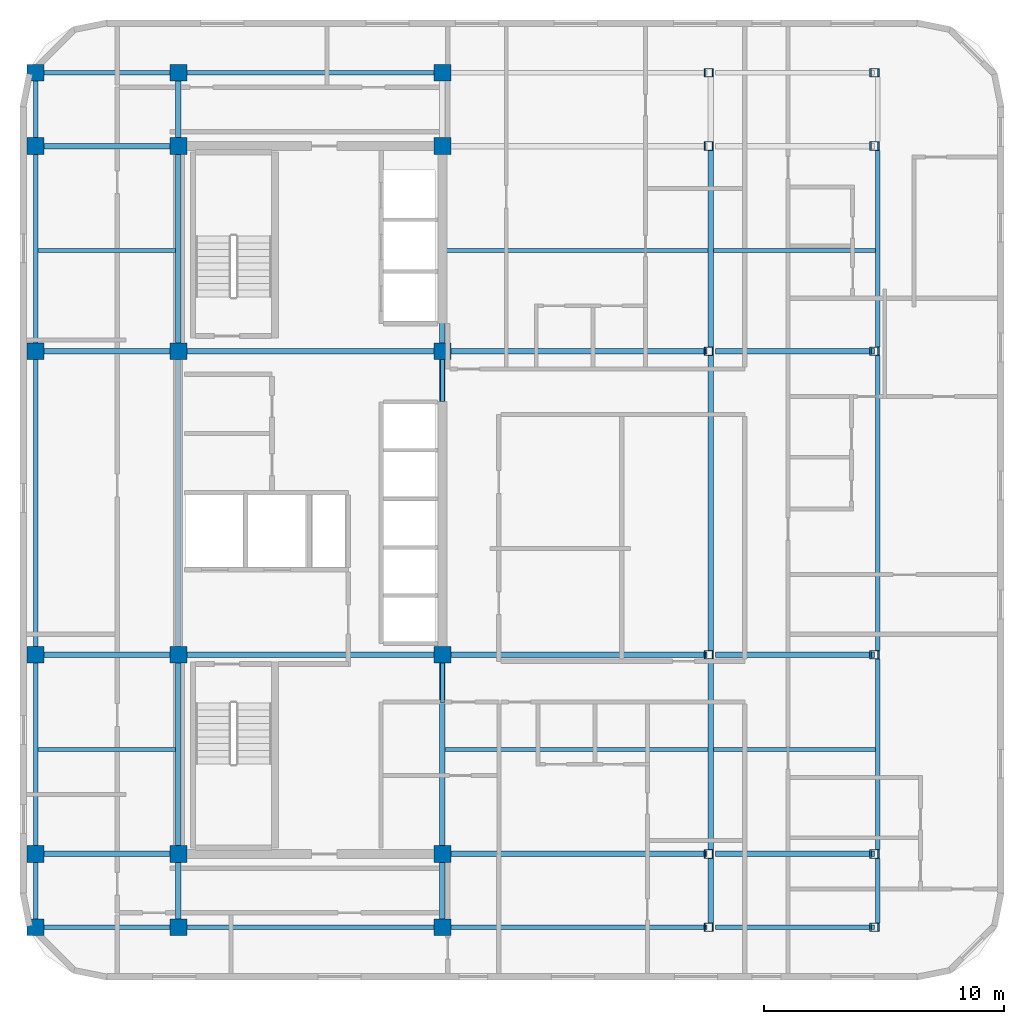
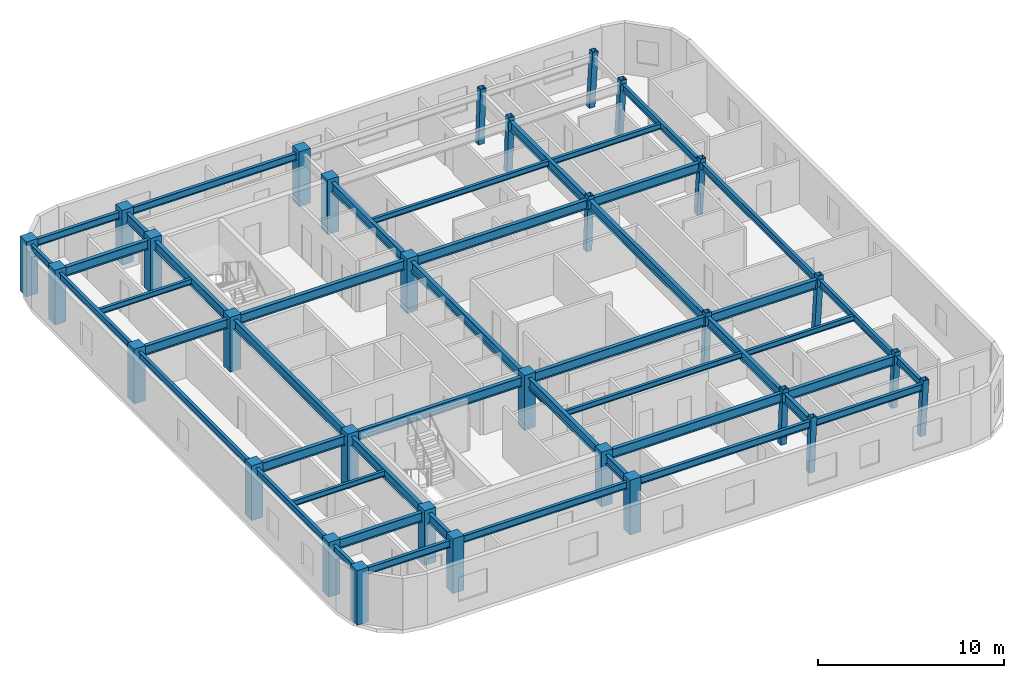
# One storey, part 1 of 8: 48 beams, 30 columns.
"""IFC4 building model written with IfcOpenShell, lengths in metres."""

from ifc_helpers import new_model, si_unit, direction, frame, origin, origin_2d, place, context, subcontext, project, spatial, rectangle, hollow_rectangle, i_section, extrude, material, material_profile, profile_set, type_object, element, save


model = new_model("IFC4")

# Units and contexts
model_context = context("Model", 3, precision=1e-05, world=origin(), true_north=direction((0.0, 1.0)))
body_context = subcontext(model_context, "Body", "Model", "MODEL_VIEW")
ifc_project = project(units=[si_unit("LENGTHUNIT", "METRE"), si_unit("AREAUNIT", "SQUARE_METRE"), si_unit("VOLUMEUNIT", "CUBIC_METRE"), si_unit("PLANEANGLEUNIT", "RADIAN"), si_unit("MASSUNIT", "GRAM", prefix="KILO")], contexts=[model_context])

# Site, building, storey
site_placement = place(None, origin())
site = spatial("IfcSite", under=ifc_project, at=site_placement, CompositionType="ELEMENT")
building_placement = place(site_placement, origin())
building = spatial("IfcBuilding", under=site, at=building_placement, Name="Ochreholt Gables", CompositionType="ELEMENT")
storey_placement = place(building_placement, frame((0.0, 0.0, 181.199951171875)))
storey = spatial("IfcBuildingStorey", under=building, at=storey_placement, Name="L47", CompositionType="ELEMENT", Elevation=181.199951171875)

# Columns
ifc_material_1 = material(Name="Steel CSA G40.21 350W", Category="steel")
ifc_material_profile_1 = material_profile(ifc_material_1, hollow_rectangle(XDim=0.35595703125, YDim=0.35595703125, WallThickness=0.01611328125, at=origin_2d()), Name="HSS356X356X16")
ifc_profile_set_1 = profile_set([ifc_material_profile_1], Name="Steel CSA G40.21 350W")
column_type_1 = type_object("IfcColumnType", Name="COL-HSS356-RAK", PredefinedType="COLUMN", material=ifc_profile_set_1)
for number, where, z_axis, x_axis, name in (
    (1, (46.278076171875, 9.25, 0.0), (0.034971136209, 0.0, 0.999388322742), (0.0, 1.0, 0.0), "L47 Column EMY2"),
    (2, (46.278076171875, 17.550048828125, 0.0), (0.034971136209, 0.0, 0.999388322742), (0.0, 1.0, 0.0), "L47 Column EMY3"),
    (3, (46.278076171875, 30.199951171875, 0.0), (0.034971136209, 0.0, 0.999388322742), (0.0, 1.0, 0.0), "L47 Column EMY4"),
    (4, (46.278076171875, 38.75, 0.0), (0.034971136209, 0.0, 0.999388322742), (0.0, 1.0, 0.0), "L47 Column EMY5"),
):
    element("IfcColumn", number, at=place(storey_placement, frame(where, z_axis=z_axis, x_axis=x_axis)), inside=storey, type_object=column_type_1, Name=name, PredefinedType="COLUMN", context=body_context, shape_type="SweptSolid", body=[
        extrude(hollow_rectangle(XDim=0.35595703125, YDim=0.35595703125, WallThickness=0.01611328125, at=origin_2d()), origin(), (0.0, 0.0, 1.0), 3.602294921875),
    ])
ifc_material_profile_2 = material_profile(ifc_material_1, hollow_rectangle(XDim=0.35595703125, YDim=0.35595703125, WallThickness=0.01611328125, at=origin_2d()), Name="HSS356X356X16")
ifc_profile_set_2 = profile_set([ifc_material_profile_2], Name="Steel CSA G40.21 350W")
column_type_2 = type_object("IfcColumnType", Name="COL-HSS356-RAKE", PredefinedType="COLUMN", material=ifc_profile_set_2)
for number, where, z_axis, x_axis, name in (
    (5, (46.278076171875, 6.199951171875, 0.0), (0.034971136209, 0.0, 0.999388322742), (0.0, 1.0, 0.0), "L47 Column EMY1"),
    (6, (46.278076171875, 41.800048828125, 0.0), (0.034971136209, 0.0, 0.999388322742), (0.0, 1.0, 0.0), "L47 Column EMY6"),
):
    element("IfcColumn", number, at=place(storey_placement, frame(where, z_axis=z_axis, x_axis=x_axis)), inside=storey, type_object=column_type_2, Name=name, PredefinedType="COLUMN", context=body_context, shape_type="SweptSolid", body=[
        extrude(hollow_rectangle(XDim=0.35595703125, YDim=0.35595703125, WallThickness=0.01611328125, at=origin_2d()), origin(), (0.0, 0.0, 1.0), 3.602294921875),
    ])
for number, where, z_axis, x_axis, name in (
    (7, (53.16650390625, 6.199951171875, 0.0), (0.057884606321, 0.0, 0.998323280481), (0.0, 1.0, 0.0), "L47 Column EEY1"),
    (8, (53.16650390625, 9.25, 0.0), (0.057884606321, 0.0, 0.998323280481), (0.0, 1.0, 0.0), "L47 Column EEY2"),
    (9, (53.16650390625, 17.550048828125, 0.0), (0.057884606321, 0.0, 0.998323280481), (0.0, 1.0, 0.0), "L47 Column EEY3"),
    (10, (53.16650390625, 30.199951171875, 0.0), (0.057884606321, 0.0, 0.998323280481), (0.0, 1.0, 0.0), "L47 Column EEY4"),
    (11, (53.16650390625, 38.75, 0.0), (0.057884606321, 0.0, 0.998323280481), (0.0, 1.0, 0.0), "L47 Column EEY5"),
    (12, (53.16650390625, 41.800048828125, 0.0), (0.057884606321, 0.0, 0.998323280481), (0.0, 1.0, 0.0), "L47 Column EEY6"),
):
    element("IfcColumn", number, at=place(storey_placement, frame(where, z_axis=z_axis, x_axis=x_axis)), inside=storey, type_object=column_type_2, Name=name, PredefinedType="COLUMN", context=body_context, shape_type="SweptSolid", body=[
        extrude(hollow_rectangle(XDim=0.35595703125, YDim=0.35595703125, WallThickness=0.01611328125, at=origin_2d()), origin(), (0.0, 0.0, 1.0), 3.606201171875),
    ])
ifc_material_2 = material(Name="Concrete 50 MPa", Category="concrete")
ifc_material_profile_3 = material_profile(ifc_material_2, rectangle(XDim=0.699951171875, YDim=0.699951171875, at=origin_2d()), Name="RC700X700")
ifc_profile_set_3 = profile_set([ifc_material_profile_3], Name="Concrete 50 MPa")
column_type_3 = type_object("IfcColumnType", Name="COL-RC700-EXT", PredefinedType="COLUMN", material=ifc_profile_set_3)
for number, where, z_axis, x_axis, name in (
    (13, (18.25, 6.199951171875, 0.0), (0.0, 0.0, 1.0), (1.0, 0.0, 0.0), "L47 Column W3Y1"),
    (14, (18.25, 9.25, 0.0), (0.0, 0.0, 1.0), (1.0, 0.0, 0.0), "L47 Column W3Y2"),
    (15, (18.25, 17.550048828125, 0.0), (0.0, 0.0, 1.0), (1.0, 0.0, 0.0), "L47 Column W3Y3"),
    (16, (18.25, 30.199951171875, 0.0), (0.0, 0.0, 1.0), (1.0, 0.0, 0.0), "L47 Column W3Y4"),
    (17, (18.25, 38.75, 0.0), (0.0, 0.0, 1.0), (1.0, 0.0, 0.0), "L47 Column W3Y5"),
    (18, (18.25, 41.800048828125, 0.0), (0.0, 0.0, 1.0), (1.0, 0.0, 0.0), "L47 Column W3Y6"),
    (19, (24.199951171875, 6.199951171875, 0.0), (0.0, 0.0, 1.0), (1.0, 0.0, 0.0), "L47 Column C1Y1"),
    (20, (24.199951171875, 41.800048828125, 0.0), (0.0, 0.0, 1.0), (1.0, 0.0, 0.0), "L47 Column C1Y6"),
    (21, (35.199951171875, 6.199951171875, 0.0), (0.0, 0.0, 1.0), (1.0, 0.0, 0.0), "L47 Column C2Y1"),
    (22, (35.199951171875, 41.800048828125, 0.0), (0.0, 0.0, 1.0), (1.0, 0.0, 0.0), "L47 Column C2Y6"),
):
    element("IfcColumn", number, at=place(storey_placement, frame(where, z_axis=z_axis, x_axis=x_axis)), inside=storey, type_object=column_type_3, Name=name, PredefinedType="COLUMN", context=body_context, shape_type="SweptSolid", body=[
        extrude(rectangle(XDim=0.699951171875, YDim=0.699951171875, at=origin_2d()), origin(), (0.0, 0.0, 1.0), 3.60009765625),
    ])
ifc_material_profile_4 = material_profile(ifc_material_2, rectangle(XDim=0.699951171875, YDim=0.699951171875, at=origin_2d()), Name="RC700X700")
ifc_profile_set_4 = profile_set([ifc_material_profile_4], Name="Concrete 50 MPa")
column_type_4 = type_object("IfcColumnType", Name="COL-RC700-INT", PredefinedType="COLUMN", material=ifc_profile_set_4)
for number, where, z_axis, x_axis, name in (
    (23, (24.199951171875, 9.25, 0.0), (0.0, 0.0, 1.0), (1.0, 0.0, 0.0), "L47 Column C1Y2"),
    (24, (24.199951171875, 17.550048828125, 0.0), (0.0, 0.0, 1.0), (1.0, 0.0, 0.0), "L47 Column C1Y3"),
    (25, (24.199951171875, 30.199951171875, 0.0), (0.0, 0.0, 1.0), (1.0, 0.0, 0.0), "L47 Column C1Y4"),
    (26, (24.199951171875, 38.75, 0.0), (0.0, 0.0, 1.0), (1.0, 0.0, 0.0), "L47 Column C1Y5"),
    (27, (35.199951171875, 9.25, 0.0), (0.0, 0.0, 1.0), (1.0, 0.0, 0.0), "L47 Column C2Y2"),
    (28, (35.199951171875, 17.550048828125, 0.0), (0.0, 0.0, 1.0), (1.0, 0.0, 0.0), "L47 Column C2Y3"),
    (29, (35.199951171875, 30.199951171875, 0.0), (0.0, 0.0, 1.0), (1.0, 0.0, 0.0), "L47 Column C2Y4"),
    (30, (35.199951171875, 38.75, 0.0), (0.0, 0.0, 1.0), (1.0, 0.0, 0.0), "L47 Column C2Y5"),
):
    element("IfcColumn", number, at=place(storey_placement, frame(where, z_axis=z_axis, x_axis=x_axis)), inside=storey, type_object=column_type_4, Name=name, PredefinedType="COLUMN", context=body_context, shape_type="SweptSolid", body=[
        extrude(rectangle(XDim=0.699951171875, YDim=0.699951171875, at=origin_2d()), origin(), (0.0, 0.0, 1.0), 3.60009765625),
    ])

# Beams
ifc_material_profile_5 = material_profile(ifc_material_1, i_section(OverallWidth=0.22900390625, OverallDepth=0.612060546875, WebThickness=0.011962890625, FlangeThickness=0.01953125, at=origin_2d()), Name="W610X125")
ifc_profile_set_5 = profile_set([ifc_material_profile_5], Name="Steel CSA G40.21 350W")
beam_type_1 = type_object("IfcBeamType", Name="BM-G-W610B", PredefinedType="BEAM", material=ifc_profile_set_5)
beam_1_placement = place(storey_placement, frame((18.599609375, 9.25, 3.053955078125), z_axis=(1.0, 0.0, 0.0), x_axis=(0.0, 1.0, 0.0)))
element("IfcBeam", 31, at=beam_1_placement, inside=storey, type_object=beam_type_1, Name="L47 Beam TBG-L47-W3C1-Y2", PredefinedType="BEAM", context=body_context, shape_type="SweptSolid", body=[
    extrude(i_section(OverallWidth=0.22900390625, OverallDepth=0.612060546875, WebThickness=0.011962890625, FlangeThickness=0.01953125, at=origin_2d()), origin(), (0.0, 0.0, 1.0), 5.250732421875),
])
beam_2_placement = place(storey_placement, frame((35.549560546875, 9.25, 3.053955078125), z_axis=(1.0, 0.0, 0.0), x_axis=(0.0, 1.0, 0.0)))
element("IfcBeam", 32, at=beam_2_placement, inside=storey, type_object=beam_type_1, Name="L47 Beam TBG-L47-C2EM-Y2", PredefinedType="BEAM", context=body_context, shape_type="SweptSolid", body=[
    extrude(i_section(OverallWidth=0.22900390625, OverallDepth=0.612060546875, WebThickness=0.011962890625, FlangeThickness=0.01953125, at=origin_2d()), origin(), (0.0, 0.0, 1.0), 10.6767578125),
])
beam_3_placement = place(storey_placement, frame((46.58154296875, 9.25, 3.053955078125), z_axis=(1.0, 0.0, 0.0), x_axis=(0.0, 1.0, 0.0)))
element("IfcBeam", 33, at=beam_3_placement, inside=storey, type_object=beam_type_1, Name="L47 Beam TBG-L47-EMEE-Y2", PredefinedType="BEAM", context=body_context, shape_type="SweptSolid", body=[
    extrude(i_section(OverallWidth=0.22900390625, OverallDepth=0.612060546875, WebThickness=0.011962890625, FlangeThickness=0.01953125, at=origin_2d()), origin(), (0.0, 0.0, 1.0), 6.615966796875),
])
beam_4_placement = place(storey_placement, frame((18.599609375, 17.550048828125, 3.053955078125), z_axis=(1.0, 0.0, 0.0), x_axis=(0.0, 1.0, 0.0)))
element("IfcBeam", 34, at=beam_4_placement, inside=storey, type_object=beam_type_1, Name="L47 Beam TBG-L47-W3C1-Y3", PredefinedType="BEAM", context=body_context, shape_type="SweptSolid", body=[
    extrude(i_section(OverallWidth=0.22900390625, OverallDepth=0.612060546875, WebThickness=0.011962890625, FlangeThickness=0.01953125, at=origin_2d()), origin(), (0.0, 0.0, 1.0), 5.250732421875),
])
beam_5_placement = place(storey_placement, frame((24.549560546875, 17.550048828125, 3.053955078125), z_axis=(1.0, 0.0, 0.0), x_axis=(0.0, 1.0, 0.0)))
element("IfcBeam", 35, at=beam_5_placement, inside=storey, type_object=beam_type_1, Name="L47 Beam TBG-L47-C1C2-Y3", PredefinedType="BEAM", context=body_context, shape_type="SweptSolid", body=[
    extrude(i_section(OverallWidth=0.22900390625, OverallDepth=0.612060546875, WebThickness=0.011962890625, FlangeThickness=0.01953125, at=origin_2d()), origin(), (0.0, 0.0, 1.0), 10.30078125),
])
beam_6_placement = place(storey_placement, frame((35.549560546875, 17.550048828125, 3.053955078125), z_axis=(1.0, 0.0, 0.0), x_axis=(0.0, 1.0, 0.0)))
element("IfcBeam", 36, at=beam_6_placement, inside=storey, type_object=beam_type_1, Name="L47 Beam TBG-L47-C2EM-Y3", PredefinedType="BEAM", context=body_context, shape_type="SweptSolid", body=[
    extrude(i_section(OverallWidth=0.22900390625, OverallDepth=0.612060546875, WebThickness=0.011962890625, FlangeThickness=0.01953125, at=origin_2d()), origin(), (0.0, 0.0, 1.0), 10.6767578125),
])
beam_7_placement = place(storey_placement, frame((46.58154296875, 17.550048828125, 3.053955078125), z_axis=(1.0, 0.0, 0.0), x_axis=(0.0, 1.0, 0.0)))
element("IfcBeam", 37, at=beam_7_placement, inside=storey, type_object=beam_type_1, Name="L47 Beam TBG-L47-EMEE-Y3", PredefinedType="BEAM", context=body_context, shape_type="SweptSolid", body=[
    extrude(i_section(OverallWidth=0.22900390625, OverallDepth=0.612060546875, WebThickness=0.011962890625, FlangeThickness=0.01953125, at=origin_2d()), origin(), (0.0, 0.0, 1.0), 6.615966796875),
])
beam_8_placement = place(storey_placement, frame((18.599609375, 30.199951171875, 3.053955078125), z_axis=(1.0, 0.0, 0.0), x_axis=(0.0, 1.0, 0.0)))
element("IfcBeam", 38, at=beam_8_placement, inside=storey, type_object=beam_type_1, Name="L47 Beam TBG-L47-W3C1-Y4", PredefinedType="BEAM", context=body_context, shape_type="SweptSolid", body=[
    extrude(i_section(OverallWidth=0.22900390625, OverallDepth=0.612060546875, WebThickness=0.011962890625, FlangeThickness=0.01953125, at=origin_2d()), origin(), (0.0, 0.0, 1.0), 5.250732421875),
])
beam_9_placement = place(storey_placement, frame((24.549560546875, 30.199951171875, 3.053955078125), z_axis=(1.0, 0.0, 0.0), x_axis=(0.0, 1.0, 0.0)))
element("IfcBeam", 39, at=beam_9_placement, inside=storey, type_object=beam_type_1, Name="L47 Beam TBG-L47-C1C2-Y4", PredefinedType="BEAM", context=body_context, shape_type="SweptSolid", body=[
    extrude(i_section(OverallWidth=0.22900390625, OverallDepth=0.612060546875, WebThickness=0.011962890625, FlangeThickness=0.01953125, at=origin_2d()), origin(), (0.0, 0.0, 1.0), 10.30078125),
])
beam_10_placement = place(storey_placement, frame((35.549560546875, 30.199951171875, 3.053955078125), z_axis=(1.0, 0.0, 0.0), x_axis=(0.0, 1.0, 0.0)))
element("IfcBeam", 40, at=beam_10_placement, inside=storey, type_object=beam_type_1, Name="L47 Beam TBG-L47-C2EM-Y4", PredefinedType="BEAM", context=body_context, shape_type="SweptSolid", body=[
    extrude(i_section(OverallWidth=0.22900390625, OverallDepth=0.612060546875, WebThickness=0.011962890625, FlangeThickness=0.01953125, at=origin_2d()), origin(), (0.0, 0.0, 1.0), 10.6767578125),
])
beam_11_placement = place(storey_placement, frame((46.58154296875, 30.199951171875, 3.053955078125), z_axis=(1.0, 0.0, 0.0), x_axis=(0.0, 1.0, 0.0)))
element("IfcBeam", 41, at=beam_11_placement, inside=storey, type_object=beam_type_1, Name="L47 Beam TBG-L47-EMEE-Y4", PredefinedType="BEAM", context=body_context, shape_type="SweptSolid", body=[
    extrude(i_section(OverallWidth=0.22900390625, OverallDepth=0.612060546875, WebThickness=0.011962890625, FlangeThickness=0.01953125, at=origin_2d()), origin(), (0.0, 0.0, 1.0), 6.615966796875),
])
beam_12_placement = place(storey_placement, frame((18.599609375, 38.75, 3.053955078125), z_axis=(1.0, 0.0, 0.0), x_axis=(0.0, 1.0, 0.0)))
element("IfcBeam", 42, at=beam_12_placement, inside=storey, type_object=beam_type_1, Name="L47 Beam TBG-L47-W3C1-Y5", PredefinedType="BEAM", context=body_context, shape_type="SweptSolid", body=[
    extrude(i_section(OverallWidth=0.22900390625, OverallDepth=0.612060546875, WebThickness=0.011962890625, FlangeThickness=0.01953125, at=origin_2d()), origin(), (0.0, 0.0, 1.0), 5.250732421875),
])
beam_13_placement = place(storey_placement, frame((24.199951171875, 6.549560546875, 3.053955078125), z_axis=(0.0, 1.0, 0.0), x_axis=(-1.0, 0.0, 0.0)))
element("IfcBeam", 43, at=beam_13_placement, inside=storey, type_object=beam_type_1, Name="L47 Beam TBN-L47-C1-Y1Y2", PredefinedType="BEAM", context=body_context, shape_type="SweptSolid", body=[
    extrude(i_section(OverallWidth=0.22900390625, OverallDepth=0.612060546875, WebThickness=0.011962890625, FlangeThickness=0.01953125, at=origin_2d()), origin(), (0.0, 0.0, 1.0), 2.350830078125),
])
beam_14_placement = place(storey_placement, frame((24.199951171875, 9.599609375, 3.053955078125), z_axis=(0.0, 1.0, 0.0), x_axis=(-1.0, 0.0, 0.0)))
element("IfcBeam", 44, at=beam_14_placement, inside=storey, type_object=beam_type_1, Name="L47 Beam TBN-L47-C1-Y2Y3", PredefinedType="BEAM", context=body_context, shape_type="SweptSolid", body=[
    extrude(i_section(OverallWidth=0.22900390625, OverallDepth=0.612060546875, WebThickness=0.011962890625, FlangeThickness=0.01953125, at=origin_2d()), origin(), (0.0, 0.0, 1.0), 7.600830078125),
])
beam_15_placement = place(storey_placement, frame((24.199951171875, 17.899658203125, 3.053955078125), z_axis=(0.0, 1.0, 0.0), x_axis=(-1.0, 0.0, 0.0)))
element("IfcBeam", 45, at=beam_15_placement, inside=storey, type_object=beam_type_1, Name="L47 Beam TBN-L47-C1-Y3Y4", PredefinedType="BEAM", context=body_context, shape_type="SweptSolid", body=[
    extrude(i_section(OverallWidth=0.22900390625, OverallDepth=0.612060546875, WebThickness=0.011962890625, FlangeThickness=0.01953125, at=origin_2d()), origin(), (0.0, 0.0, 1.0), 11.95068359375),
])
beam_16_placement = place(storey_placement, frame((24.199951171875, 30.549560546875, 3.053955078125), z_axis=(0.0, 1.0, 0.0), x_axis=(-1.0, 0.0, 0.0)))
element("IfcBeam", 46, at=beam_16_placement, inside=storey, type_object=beam_type_1, Name="L47 Beam TBN-L47-C1-Y4Y5", PredefinedType="BEAM", context=body_context, shape_type="SweptSolid", body=[
    extrude(i_section(OverallWidth=0.22900390625, OverallDepth=0.612060546875, WebThickness=0.011962890625, FlangeThickness=0.01953125, at=origin_2d()), origin(), (0.0, 0.0, 1.0), 7.850830078125),
])
for number, where, z_axis, x_axis, name in (
    (47, (24.199951171875, 39.099609375, 3.053955078125), (0.0, 1.0, 0.0), (-1.0, 0.0, 0.0), "L47 Beam TBN-L47-C1-Y5Y6"),
    (48, (35.199951171875, 6.549560546875, 3.053955078125), (0.0, 1.0, 0.0), (-1.0, 0.0, 0.0), "L47 Beam TBN-L47-C2-Y1Y2"),
):
    element("IfcBeam", number, at=place(storey_placement, frame(where, z_axis=z_axis, x_axis=x_axis)), inside=storey, type_object=beam_type_1, Name=name, PredefinedType="BEAM", context=body_context, shape_type="SweptSolid", body=[
        extrude(i_section(OverallWidth=0.22900390625, OverallDepth=0.612060546875, WebThickness=0.011962890625, FlangeThickness=0.01953125, at=origin_2d()), origin(), (0.0, 0.0, 1.0), 2.350830078125),
    ])
beam_17_placement = place(storey_placement, frame((35.199951171875, 9.599609375, 3.053955078125), z_axis=(0.0, 1.0, 0.0), x_axis=(-1.0, 0.0, 0.0)))
element("IfcBeam", 49, at=beam_17_placement, inside=storey, type_object=beam_type_1, Name="L47 Beam TBN-L47-C2-Y2Y3", PredefinedType="BEAM", context=body_context, shape_type="SweptSolid", body=[
    extrude(i_section(OverallWidth=0.22900390625, OverallDepth=0.612060546875, WebThickness=0.011962890625, FlangeThickness=0.01953125, at=origin_2d()), origin(), (0.0, 0.0, 1.0), 7.600830078125),
])
beam_18_placement = place(storey_placement, frame((35.199951171875, 17.899658203125, 3.053955078125), z_axis=(0.0, 1.0, 0.0), x_axis=(-1.0, 0.0, 0.0)))
element("IfcBeam", 50, at=beam_18_placement, inside=storey, type_object=beam_type_1, Name="L47 Beam TBN-L47-C2-Y3Y4", PredefinedType="BEAM", context=body_context, shape_type="SweptSolid", body=[
    extrude(i_section(OverallWidth=0.22900390625, OverallDepth=0.612060546875, WebThickness=0.011962890625, FlangeThickness=0.01953125, at=origin_2d()), origin(), (0.0, 0.0, 1.0), 11.95068359375),
])
beam_19_placement = place(storey_placement, frame((35.199951171875, 30.549560546875, 3.053955078125), z_axis=(0.0, 1.0, 0.0), x_axis=(-1.0, 0.0, 0.0)))
element("IfcBeam", 51, at=beam_19_placement, inside=storey, type_object=beam_type_1, Name="L47 Beam TBN-L47-C2-Y4Y5", PredefinedType="BEAM", context=body_context, shape_type="SweptSolid", body=[
    extrude(i_section(OverallWidth=0.22900390625, OverallDepth=0.612060546875, WebThickness=0.011962890625, FlangeThickness=0.01953125, at=origin_2d()), origin(), (0.0, 0.0, 1.0), 7.850830078125),
])
beam_20_placement = place(storey_placement, frame((46.386962890625, 6.377685546875, 3.053955078125), z_axis=(0.0, 1.0, 0.0), x_axis=(-1.0, 0.0, 0.0)))
element("IfcBeam", 52, at=beam_20_placement, inside=storey, type_object=beam_type_1, Name="L47 Beam TBN-L47-EM-Y1Y2", PredefinedType="BEAM", context=body_context, shape_type="SweptSolid", body=[
    extrude(i_section(OverallWidth=0.22900390625, OverallDepth=0.612060546875, WebThickness=0.011962890625, FlangeThickness=0.01953125, at=origin_2d()), origin(), (0.0, 0.0, 1.0), 2.69482421875),
])
beam_21_placement = place(storey_placement, frame((46.386962890625, 9.427490234375, 3.053955078125), z_axis=(0.0, 1.0, 0.0), x_axis=(-1.0, 0.0, 0.0)))
element("IfcBeam", 53, at=beam_21_placement, inside=storey, type_object=beam_type_1, Name="L47 Beam TBN-L47-EM-Y2Y3", PredefinedType="BEAM", context=body_context, shape_type="SweptSolid", body=[
    extrude(i_section(OverallWidth=0.22900390625, OverallDepth=0.612060546875, WebThickness=0.011962890625, FlangeThickness=0.01953125, at=origin_2d()), origin(), (0.0, 0.0, 1.0), 7.94482421875),
])
beam_22_placement = place(storey_placement, frame((46.386962890625, 17.7275390625, 3.053955078125), z_axis=(0.0, 1.0, 0.0), x_axis=(-1.0, 0.0, 0.0)))
element("IfcBeam", 54, at=beam_22_placement, inside=storey, type_object=beam_type_1, Name="L47 Beam TBN-L47-EM-Y3Y4", PredefinedType="BEAM", context=body_context, shape_type="SweptSolid", body=[
    extrude(i_section(OverallWidth=0.22900390625, OverallDepth=0.612060546875, WebThickness=0.011962890625, FlangeThickness=0.01953125, at=origin_2d()), origin(), (0.0, 0.0, 1.0), 12.294921875),
])
beam_23_placement = place(storey_placement, frame((46.386962890625, 30.377685546875, 3.053955078125), z_axis=(0.0, 1.0, 0.0), x_axis=(-1.0, 0.0, 0.0)))
element("IfcBeam", 55, at=beam_23_placement, inside=storey, type_object=beam_type_1, Name="L47 Beam TBN-L47-EM-Y4Y5", PredefinedType="BEAM", context=body_context, shape_type="SweptSolid", body=[
    extrude(i_section(OverallWidth=0.22900390625, OverallDepth=0.612060546875, WebThickness=0.011962890625, FlangeThickness=0.01953125, at=origin_2d()), origin(), (0.0, 0.0, 1.0), 8.19482421875),
])
ifc_material_profile_6 = material_profile(ifc_material_1, i_section(OverallWidth=0.172119140625, OverallDepth=0.35791015625, WebThickness=0.0078125, FlangeThickness=0.01318359375, at=origin_2d()), Name="W360X57")
ifc_profile_set_6 = profile_set([ifc_material_profile_6], Name="Steel CSA G40.21 350W")
beam_type_2 = type_object("IfcBeamType", Name="BM-J-W360B", PredefinedType="JOIST", material=ifc_profile_set_6)
beam_24_placement = place(storey_placement, frame((18.345703125, 13.60009765625, 3.18115234375), z_axis=(1.0, 0.0, 0.0), x_axis=(0.0, 1.0, 0.0)))
element("IfcBeam", 56, at=beam_24_placement, inside=storey, type_object=beam_type_2, Name="L47 Beam TBJ-L47-J1-W3C1", PredefinedType="JOIST", context=body_context, shape_type="SweptSolid", body=[
    extrude(i_section(OverallWidth=0.172119140625, OverallDepth=0.35791015625, WebThickness=0.0078125, FlangeThickness=0.01318359375, at=origin_2d()), origin(), (0.0, 0.0, 1.0), 5.740234375),
])
beam_25_placement = place(storey_placement, frame((35.314208984375, 13.60009765625, 3.18115234375), z_axis=(1.0, 0.0, 0.0), x_axis=(0.0, 1.0, 0.0)))
element("IfcBeam", 57, at=beam_25_placement, inside=storey, type_object=beam_type_2, Name="L47 Beam TBJ-L47-J1-C2EM", PredefinedType="JOIST", context=body_context, shape_type="SweptSolid", body=[
    extrude(i_section(OverallWidth=0.172119140625, OverallDepth=0.35791015625, WebThickness=0.0078125, FlangeThickness=0.01318359375, at=origin_2d()), origin(), (0.0, 0.0, 1.0), 10.95849609375),
])
beam_26_placement = place(storey_placement, frame((46.5009765625, 13.60009765625, 3.18115234375), z_axis=(1.0, 0.0, 0.0), x_axis=(0.0, 1.0, 0.0)))
element("IfcBeam", 58, at=beam_26_placement, inside=storey, type_object=beam_type_2, Name="L47 Beam TBJ-L47-J1-EMEE", PredefinedType="JOIST", context=body_context, shape_type="SweptSolid", body=[
    extrude(i_section(OverallWidth=0.172119140625, OverallDepth=0.35791015625, WebThickness=0.0078125, FlangeThickness=0.01318359375, at=origin_2d()), origin(), (0.0, 0.0, 1.0), 6.750244140625),
])
beam_27_placement = place(storey_placement, frame((18.345703125, 34.39990234375, 3.18115234375), z_axis=(1.0, 0.0, 0.0), x_axis=(0.0, 1.0, 0.0)))
element("IfcBeam", 59, at=beam_27_placement, inside=storey, type_object=beam_type_2, Name="L47 Beam TBJ-L47-J2-W3C1", PredefinedType="JOIST", context=body_context, shape_type="SweptSolid", body=[
    extrude(i_section(OverallWidth=0.172119140625, OverallDepth=0.35791015625, WebThickness=0.0078125, FlangeThickness=0.01318359375, at=origin_2d()), origin(), (0.0, 0.0, 1.0), 5.740234375),
])
beam_28_placement = place(storey_placement, frame((35.314208984375, 34.39990234375, 3.18115234375), z_axis=(1.0, 0.0, 0.0), x_axis=(0.0, 1.0, 0.0)))
element("IfcBeam", 60, at=beam_28_placement, inside=storey, type_object=beam_type_2, Name="L47 Beam TBJ-L47-J2-C2EM", PredefinedType="JOIST", context=body_context, shape_type="SweptSolid", body=[
    extrude(i_section(OverallWidth=0.172119140625, OverallDepth=0.35791015625, WebThickness=0.0078125, FlangeThickness=0.01318359375, at=origin_2d()), origin(), (0.0, 0.0, 1.0), 10.95849609375),
])
beam_29_placement = place(storey_placement, frame((46.5009765625, 34.39990234375, 3.18115234375), z_axis=(1.0, 0.0, 0.0), x_axis=(0.0, 1.0, 0.0)))
element("IfcBeam", 61, at=beam_29_placement, inside=storey, type_object=beam_type_2, Name="L47 Beam TBJ-L47-J2-EMEE", PredefinedType="JOIST", context=body_context, shape_type="SweptSolid", body=[
    extrude(i_section(OverallWidth=0.172119140625, OverallDepth=0.35791015625, WebThickness=0.0078125, FlangeThickness=0.01318359375, at=origin_2d()), origin(), (0.0, 0.0, 1.0), 6.750244140625),
])
ifc_material_profile_7 = material_profile(ifc_material_1, i_section(OverallWidth=0.1650390625, OverallDepth=0.200927734375, WebThickness=0.006103515625, FlangeThickness=0.01025390625, at=origin_2d()), Name="W200X36")
ifc_profile_set_7 = profile_set([ifc_material_profile_7], Name="Steel CSA G40.21 350W")
beam_type_3 = type_object("IfcBeamType", Name="BM-LIN-W200", PredefinedType="LINTEL", material=ifc_profile_set_7)
beam_30_placement = place(storey_placement, frame((35.2099609375, 15.550048828125, 2.6474609375), z_axis=(0.0, 1.0, 0.0), x_axis=(-1.0, 0.0, 0.0)))
element("IfcBeam", 62, at=beam_30_placement, inside=storey, type_object=beam_type_3, Name="L47 Core Coupling Lintel CPS", PredefinedType="LINTEL", context=body_context, shape_type="SweptSolid", body=[
    extrude(i_section(OverallWidth=0.1650390625, OverallDepth=0.200927734375, WebThickness=0.006103515625, FlangeThickness=0.01025390625, at=origin_2d()), origin(), (0.0, 0.0, 1.0), 1.64990234375),
])
beam_31_placement = place(storey_placement, frame((35.2099609375, 28.10009765625, 2.6474609375), z_axis=(0.0, 1.0, 0.0), x_axis=(-1.0, 0.0, 0.0)))
element("IfcBeam", 63, at=beam_31_placement, inside=storey, type_object=beam_type_3, Name="L47 Core Coupling Lintel CPN", PredefinedType="LINTEL", context=body_context, shape_type="SweptSolid", body=[
    extrude(i_section(OverallWidth=0.1650390625, OverallDepth=0.200927734375, WebThickness=0.006103515625, FlangeThickness=0.01025390625, at=origin_2d()), origin(), (0.0, 0.0, 1.0), 1.75),
])
ifc_material_profile_8 = material_profile(ifc_material_1, i_section(OverallWidth=0.19189453125, OverallDepth=0.462890625, WebThickness=0.010498046875, FlangeThickness=0.017578125, at=origin_2d()), Name="W460X89")
ifc_profile_set_8 = profile_set([ifc_material_profile_8], Name="Steel CSA G40.21 350W")
beam_type_4 = type_object("IfcBeamType", Name="BM-SP-W460A", PredefinedType="SPANDREL", material=ifc_profile_set_8)
beam_32_placement = place(storey_placement, frame((18.599609375, 6.199951171875, 3.128662109375), z_axis=(1.0, 0.0, 0.0), x_axis=(0.0, 1.0, 0.0)))
element("IfcBeam", 64, at=beam_32_placement, inside=storey, type_object=beam_type_4, Name="L47 Beam TBG-L47-W3C1-Y1", PredefinedType="SPANDREL", context=body_context, shape_type="SweptSolid", body=[
    extrude(i_section(OverallWidth=0.19189453125, OverallDepth=0.462890625, WebThickness=0.010498046875, FlangeThickness=0.017578125, at=origin_2d()), origin(), (0.0, 0.0, 1.0), 5.250732421875),
])
beam_33_placement = place(storey_placement, frame((24.549560546875, 6.199951171875, 3.128662109375), z_axis=(1.0, 0.0, 0.0), x_axis=(0.0, 1.0, 0.0)))
element("IfcBeam", 65, at=beam_33_placement, inside=storey, type_object=beam_type_4, Name="L47 Beam TBG-L47-C1C2-Y1", PredefinedType="SPANDREL", context=body_context, shape_type="SweptSolid", body=[
    extrude(i_section(OverallWidth=0.19189453125, OverallDepth=0.462890625, WebThickness=0.010498046875, FlangeThickness=0.017578125, at=origin_2d()), origin(), (0.0, 0.0, 1.0), 10.30078125),
])
beam_34_placement = place(storey_placement, frame((35.549560546875, 6.199951171875, 3.128662109375), z_axis=(1.0, 0.0, 0.0), x_axis=(0.0, 1.0, 0.0)))
element("IfcBeam", 66, at=beam_34_placement, inside=storey, type_object=beam_type_4, Name="L47 Beam TBG-L47-C2EM-Y1", PredefinedType="SPANDREL", context=body_context, shape_type="SweptSolid", body=[
    extrude(i_section(OverallWidth=0.19189453125, OverallDepth=0.462890625, WebThickness=0.010498046875, FlangeThickness=0.017578125, at=origin_2d()), origin(), (0.0, 0.0, 1.0), 10.6767578125),
])
beam_35_placement = place(storey_placement, frame((46.58154296875, 6.199951171875, 3.128662109375), z_axis=(1.0, 0.0, 0.0), x_axis=(0.0, 1.0, 0.0)))
element("IfcBeam", 67, at=beam_35_placement, inside=storey, type_object=beam_type_4, Name="L47 Beam TBG-L47-EMEE-Y1", PredefinedType="SPANDREL", context=body_context, shape_type="SweptSolid", body=[
    extrude(i_section(OverallWidth=0.19189453125, OverallDepth=0.462890625, WebThickness=0.010498046875, FlangeThickness=0.017578125, at=origin_2d()), origin(), (0.0, 0.0, 1.0), 6.615966796875),
])
beam_36_placement = place(storey_placement, frame((18.599609375, 41.800048828125, 3.128662109375), z_axis=(1.0, 0.0, 0.0), x_axis=(0.0, 1.0, 0.0)))
element("IfcBeam", 68, at=beam_36_placement, inside=storey, type_object=beam_type_4, Name="L47 Beam TBG-L47-W3C1-Y6", PredefinedType="SPANDREL", context=body_context, shape_type="SweptSolid", body=[
    extrude(i_section(OverallWidth=0.19189453125, OverallDepth=0.462890625, WebThickness=0.010498046875, FlangeThickness=0.017578125, at=origin_2d()), origin(), (0.0, 0.0, 1.0), 5.250732421875),
])
beam_37_placement = place(storey_placement, frame((24.549560546875, 41.800048828125, 3.128662109375), z_axis=(1.0, 0.0, 0.0), x_axis=(0.0, 1.0, 0.0)))
element("IfcBeam", 69, at=beam_37_placement, inside=storey, type_object=beam_type_4, Name="L47 Beam TBG-L47-C1C2-Y6", PredefinedType="SPANDREL", context=body_context, shape_type="SweptSolid", body=[
    extrude(i_section(OverallWidth=0.19189453125, OverallDepth=0.462890625, WebThickness=0.010498046875, FlangeThickness=0.017578125, at=origin_2d()), origin(), (0.0, 0.0, 1.0), 10.30078125),
])
beam_38_placement = place(storey_placement, frame((18.25, 6.549560546875, 3.128662109375), z_axis=(0.0, 1.0, 0.0), x_axis=(-1.0, 0.0, 0.0)))
element("IfcBeam", 70, at=beam_38_placement, inside=storey, type_object=beam_type_4, Name="L47 Beam TBN-L47-W3-Y1Y2", PredefinedType="SPANDREL", context=body_context, shape_type="SweptSolid", body=[
    extrude(i_section(OverallWidth=0.19189453125, OverallDepth=0.462890625, WebThickness=0.010498046875, FlangeThickness=0.017578125, at=origin_2d()), origin(), (0.0, 0.0, 1.0), 2.350830078125),
])
beam_39_placement = place(storey_placement, frame((18.25, 9.599609375, 3.128662109375), z_axis=(0.0, 1.0, 0.0), x_axis=(-1.0, 0.0, 0.0)))
element("IfcBeam", 71, at=beam_39_placement, inside=storey, type_object=beam_type_4, Name="L47 Beam TBN-L47-W3-Y2Y3", PredefinedType="SPANDREL", context=body_context, shape_type="SweptSolid", body=[
    extrude(i_section(OverallWidth=0.19189453125, OverallDepth=0.462890625, WebThickness=0.010498046875, FlangeThickness=0.017578125, at=origin_2d()), origin(), (0.0, 0.0, 1.0), 7.600830078125),
])
beam_40_placement = place(storey_placement, frame((18.25, 17.899658203125, 3.128662109375), z_axis=(0.0, 1.0, 0.0), x_axis=(-1.0, 0.0, 0.0)))
element("IfcBeam", 72, at=beam_40_placement, inside=storey, type_object=beam_type_4, Name="L47 Beam TBN-L47-W3-Y3Y4", PredefinedType="SPANDREL", context=body_context, shape_type="SweptSolid", body=[
    extrude(i_section(OverallWidth=0.19189453125, OverallDepth=0.462890625, WebThickness=0.010498046875, FlangeThickness=0.017578125, at=origin_2d()), origin(), (0.0, 0.0, 1.0), 11.95068359375),
])
beam_41_placement = place(storey_placement, frame((18.25, 30.549560546875, 3.128662109375), z_axis=(0.0, 1.0, 0.0), x_axis=(-1.0, 0.0, 0.0)))
element("IfcBeam", 73, at=beam_41_placement, inside=storey, type_object=beam_type_4, Name="L47 Beam TBN-L47-W3-Y4Y5", PredefinedType="SPANDREL", context=body_context, shape_type="SweptSolid", body=[
    extrude(i_section(OverallWidth=0.19189453125, OverallDepth=0.462890625, WebThickness=0.010498046875, FlangeThickness=0.017578125, at=origin_2d()), origin(), (0.0, 0.0, 1.0), 7.850830078125),
])
beam_42_placement = place(storey_placement, frame((18.25, 39.099609375, 3.128662109375), z_axis=(0.0, 1.0, 0.0), x_axis=(-1.0, 0.0, 0.0)))
element("IfcBeam", 74, at=beam_42_placement, inside=storey, type_object=beam_type_4, Name="L47 Beam TBN-L47-W3-Y5Y6", PredefinedType="SPANDREL", context=body_context, shape_type="SweptSolid", body=[
    extrude(i_section(OverallWidth=0.19189453125, OverallDepth=0.462890625, WebThickness=0.010498046875, FlangeThickness=0.017578125, at=origin_2d()), origin(), (0.0, 0.0, 1.0), 2.350830078125),
])
beam_43_placement = place(storey_placement, frame((53.3466796875, 6.377685546875, 3.128662109375), z_axis=(0.0, 1.0, 0.0), x_axis=(-1.0, 0.0, 0.0)))
element("IfcBeam", 75, at=beam_43_placement, inside=storey, type_object=beam_type_4, Name="L47 Beam TBN-L47-EE-Y1Y2", PredefinedType="SPANDREL", context=body_context, shape_type="SweptSolid", body=[
    extrude(i_section(OverallWidth=0.19189453125, OverallDepth=0.462890625, WebThickness=0.010498046875, FlangeThickness=0.017578125, at=origin_2d()), origin(), (0.0, 0.0, 1.0), 2.69482421875),
])
beam_44_placement = place(storey_placement, frame((53.3466796875, 9.427490234375, 3.128662109375), z_axis=(0.0, 1.0, 0.0), x_axis=(-1.0, 0.0, 0.0)))
element("IfcBeam", 76, at=beam_44_placement, inside=storey, type_object=beam_type_4, Name="L47 Beam TBN-L47-EE-Y2Y3", PredefinedType="SPANDREL", context=body_context, shape_type="SweptSolid", body=[
    extrude(i_section(OverallWidth=0.19189453125, OverallDepth=0.462890625, WebThickness=0.010498046875, FlangeThickness=0.017578125, at=origin_2d()), origin(), (0.0, 0.0, 1.0), 7.94482421875),
])
beam_45_placement = place(storey_placement, frame((53.3466796875, 17.7275390625, 3.128662109375), z_axis=(0.0, 1.0, 0.0), x_axis=(-1.0, 0.0, 0.0)))
element("IfcBeam", 77, at=beam_45_placement, inside=storey, type_object=beam_type_4, Name="L47 Beam TBN-L47-EE-Y3Y4", PredefinedType="SPANDREL", context=body_context, shape_type="SweptSolid", body=[
    extrude(i_section(OverallWidth=0.19189453125, OverallDepth=0.462890625, WebThickness=0.010498046875, FlangeThickness=0.017578125, at=origin_2d()), origin(), (0.0, 0.0, 1.0), 12.294921875),
])
beam_46_placement = place(storey_placement, frame((53.3466796875, 30.377685546875, 3.128662109375), z_axis=(0.0, 1.0, 0.0), x_axis=(-1.0, 0.0, 0.0)))
element("IfcBeam", 78, at=beam_46_placement, inside=storey, type_object=beam_type_4, Name="L47 Beam TBN-L47-EE-Y4Y5", PredefinedType="SPANDREL", context=body_context, shape_type="SweptSolid", body=[
    extrude(i_section(OverallWidth=0.19189453125, OverallDepth=0.462890625, WebThickness=0.010498046875, FlangeThickness=0.017578125, at=origin_2d()), origin(), (0.0, 0.0, 1.0), 8.19482421875),
])

save(model, "model.ifc")
